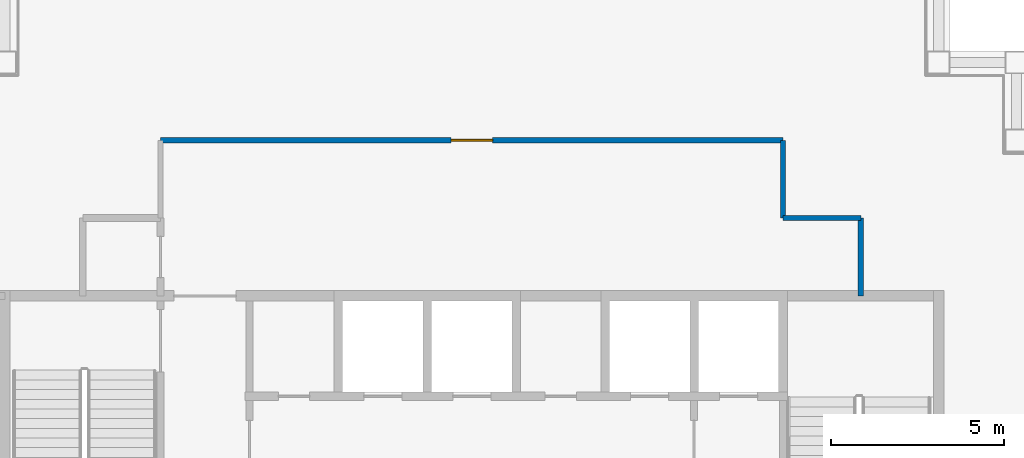
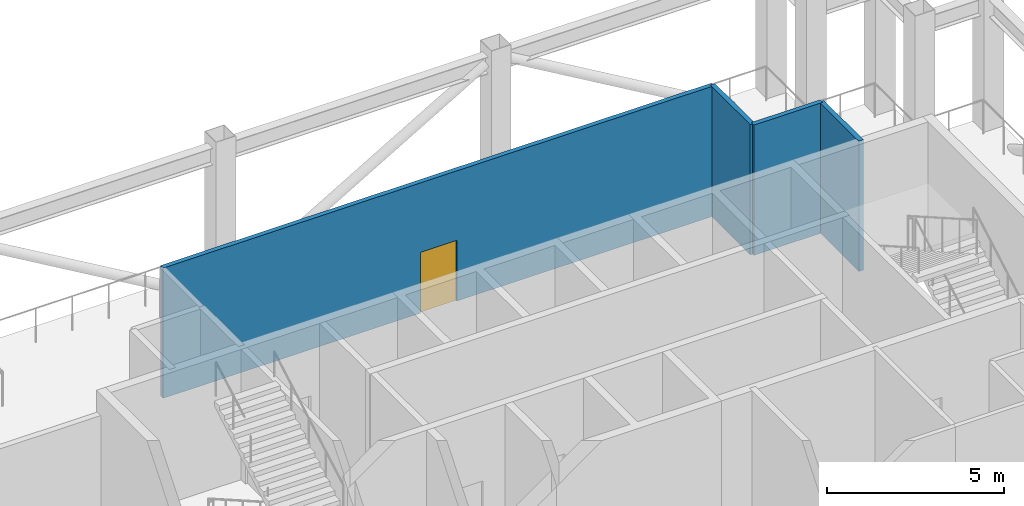
# One storey, part 4 of 10: 4 walls, 1 door, 1 opening.
"""IFC4 building model written with IfcOpenShell, lengths in metres."""

from ifc_helpers import new_model, si_unit, direction, frame, frame_2d, origin, place, context, subcontext, project, spatial, rectangle, extrude, material, layer, layer_set, type_object, element, fill, save


model = new_model("IFC4")

# Units and contexts
model_context = context("Model", 3, precision=1e-05, world=origin(), true_north=direction((0.0, 1.0)))
body_context = subcontext(model_context, "Body", "Model", "MODEL_VIEW")
ifc_project = project(units=[si_unit("LENGTHUNIT", "METRE"), si_unit("AREAUNIT", "SQUARE_METRE"), si_unit("VOLUMEUNIT", "CUBIC_METRE"), si_unit("PLANEANGLEUNIT", "RADIAN"), si_unit("MASSUNIT", "GRAM", prefix="KILO")], contexts=[model_context])

# Site, building, storey
site_placement = place(None, origin())
site = spatial("IfcSite", under=ifc_project, at=site_placement, CompositionType="ELEMENT")
building_placement = place(site_placement, origin())
building = spatial("IfcBuilding", under=site, at=building_placement, Name="Caravel Reach Hotel and Residences", CompositionType="ELEMENT")
storey_placement = place(building_placement, frame((0.0, 0.0, 233.10009765625)))
storey = spatial("IfcBuildingStorey", under=building, at=storey_placement, Name="L59", CompositionType="ELEMENT", Elevation=233.10009765625)

# Wall
ifc_material_1 = material(Name="Gypsum board on steel stud, fire-rated", Category="steel")
ifc_layer = layer(ifc_material_1, 0.14990234375)
ifc_layer_set = layer_set([ifc_layer], Name="Corridor wall 150 mm EI 60")
wall_type = type_object("IfcWallType", Name="Corridor wall 150 mm EI 60", PredefinedType="PARTITIONING", material=ifc_layer_set)
wall_1_placement = place(storey_placement, frame((40.5, 33.75, 0.0), z_axis=(0.0, 0.0, 1.0), x_axis=(1.0, 0.0, 0.0)))
element("IfcWall", 1, at=wall_1_placement, inside=storey, type_object=wall_type, Name="L59 wall w004", PredefinedType="PARTITIONING", context=body_context, shape_type="SweptSolid", body=[
    extrude(rectangle(XDim=2.25, YDim=0.14990234375, at=frame_2d((1.125, 0.0))), origin(), (0.0, 0.0, 1.0), 4.5),
])

# Wall, opening, door
wall_2_placement = place(storey_placement, frame((22.5, 36.0, 0.0), z_axis=(0.0, 0.0, 1.0), x_axis=(1.0, 0.0, 0.0)))
wall_2 = element("IfcWall", 2, at=wall_2_placement, inside=storey, type_object=wall_type, Name="L59 wall w005", PredefinedType="PARTITIONING", context=body_context, shape_type="SweptSolid", body=[
    extrude(rectangle(XDim=18.0, YDim=0.14990234375, at=frame_2d((9.0, 0.0))), origin(), (0.0, 0.0, 1.0), 4.5),
])
opening_placement = place(wall_2_placement, frame((8.39990234375, 0.0, 0.0)))
opening = element("IfcOpeningElement", 3, at=opening_placement, cuts=wall_2, Name="Opening D59-022", PredefinedType="OPENING", context=body_context, shape_type="SweptSolid", body=[
    extrude(rectangle(XDim=1.199951171875, YDim=2.10009765625, at=frame_2d((0.60009765625, 1.050048828125))), frame((0.0, 0.0849609375, 0.0), z_axis=(0.0, -1.0, 0.0), x_axis=(1.0, 0.0, 0.0)), (0.0, 0.0, 1.0), 0.169921875),
])
ifc_material_2 = material(Name="Steel fire door leaf", Category="steel")
door_type = type_object("IfcDoorType", Name="Refuge hall door 1200 x 2100 EI 60", OperationType="SINGLE_SWING_LEFT", PredefinedType="DOOR", material=ifc_material_2)
door_placement = place(opening_placement, origin())
door = element("IfcDoor", 4, at=door_placement, inside=storey, type_object=door_type, Name="door D59-022", OperationType="SINGLE_SWING_RIGHT", OverallHeight=2.10009765625, OverallWidth=1.199951171875, PredefinedType="DOOR", context=body_context, shape_type="SweptSolid", body=[
    extrude(rectangle(XDim=1.199951171875, YDim=2.10009765625, at=frame_2d((0.60009765625, 1.050048828125))), frame((0.0, 0.02490234375, 0.0), z_axis=(0.0, -1.0, 0.0), x_axis=(1.0, 0.0, 0.0)), (0.0, 0.0, 1.0), 0.050048828125),
])
fill(opening, door)

# Walls
for number, where, z_axis, x_axis, name in (
    (5, (40.5, 33.75, 0.0), (0.0, 0.0, 1.0), (0.0, 1.0, 0.0), "L59 wall w008"),
    (6, (42.75, 31.5, 0.0), (0.0, 0.0, 1.0), (0.0, 1.0, 0.0), "L59 wall w010"),
):
    element("IfcWall", number, at=place(storey_placement, frame(where, z_axis=z_axis, x_axis=x_axis)), inside=storey, type_object=wall_type, Name=name, PredefinedType="PARTITIONING", context=body_context, shape_type="SweptSolid", body=[
        extrude(rectangle(XDim=2.25, YDim=0.14990234375, at=frame_2d((1.125, 0.0))), origin(), (0.0, 0.0, 1.0), 4.5),
    ])

save(model, "model.ifc")
